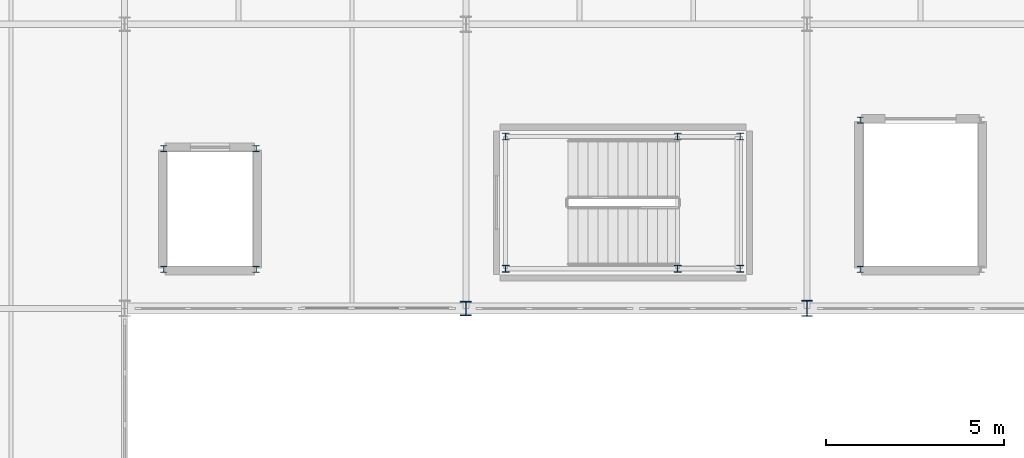
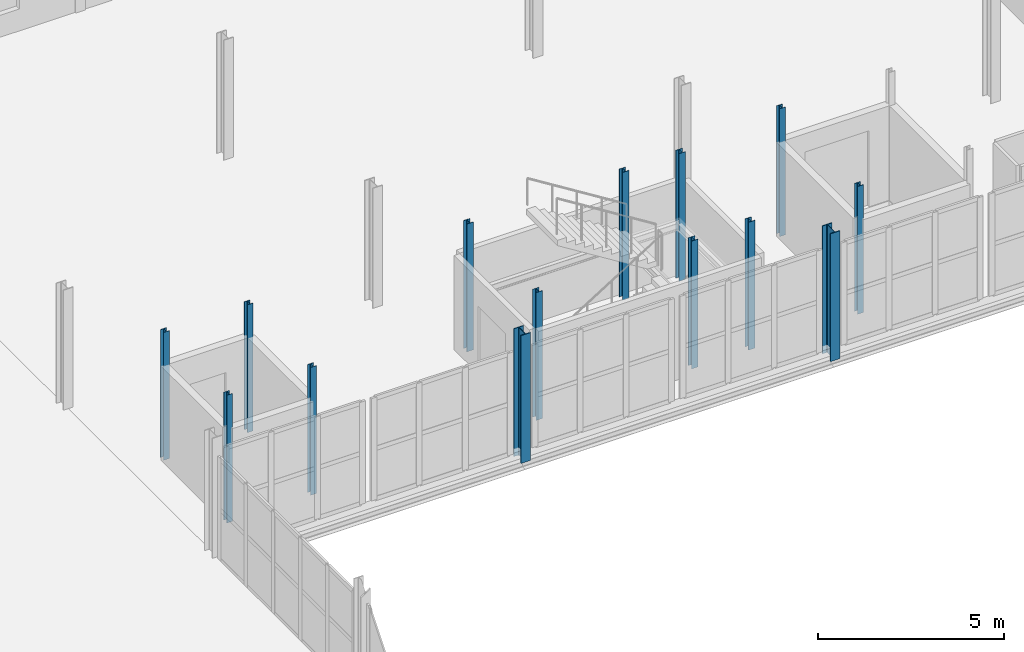
# One storey, part 18 of 85: 14 columns.
"""IFC4 building model written with IfcOpenShell, lengths in metres."""

from ifc_helpers import new_model, si_unit, direction, frame, origin, origin_2d, place, context, subcontext, project, spatial, i_section, extrude, material, material_profile, profile_set, type_object, element, save


model = new_model("IFC4")

# Units and contexts
model_context = context("Model", 3, precision=1e-05, world=origin(), true_north=direction((0.0, 1.0)))
body_context = subcontext(model_context, "Body", "Model", "MODEL_VIEW")
ifc_project = project(units=[si_unit("LENGTHUNIT", "METRE"), si_unit("AREAUNIT", "SQUARE_METRE"), si_unit("VOLUMEUNIT", "CUBIC_METRE"), si_unit("PLANEANGLEUNIT", "RADIAN"), si_unit("MASSUNIT", "GRAM", prefix="KILO")], contexts=[model_context])

# Site, building, storey
site_placement = place(None, origin())
site = spatial("IfcSite", under=ifc_project, at=site_placement, CompositionType="ELEMENT")
building_placement = place(site_placement, origin())
building = spatial("IfcBuilding", under=site, at=building_placement, Name="Alderhovde Museum", CompositionType="ELEMENT")
storey_placement = place(building_placement, frame((0.0, 0.0, 8.699951171875)))
storey = spatial("IfcBuildingStorey", under=building, at=storey_placement, Name="L02", CompositionType="ELEMENT", Elevation=8.699951171875)

# Columns
ifc_material_1 = material(Name="Steel S355J2", Category="steel")
ifc_material_profile_1 = material_profile(ifc_material_1, i_section(OverallWidth=0.179931640625, OverallDepth=0.1708984375, WebThickness=0.006103515625, FlangeThickness=0.009521484375, FilletRadius=0.014892578125, at=origin_2d()), Name="HEA 180")
ifc_profile_set_1 = profile_set([ifc_material_profile_1], Name="Steel S355J2")
column_type_1 = type_object("IfcColumnType", Name="COL-HEA180", PredefinedType="COLUMN", material=ifc_profile_set_1)
for number, where, z_axis, x_axis, name in (
    (1, (116.300048828125, 73.10009765625, 0.0), (0.0, 0.0, 1.0), (1.0, 0.0, 0.0), "L02 Lift PL-03 Shaft Column 1"),
    (2, (118.89990234375, 73.10009765625, 0.0), (0.0, 0.0, 1.0), (1.0, 0.0, 0.0), "L02 Lift PL-03 Shaft Column 2"),
    (3, (118.89990234375, 76.5, 0.0), (0.0, 0.0, 1.0), (1.0, 0.0, 0.0), "L02 Lift PL-03 Shaft Column 3"),
    (4, (116.300048828125, 76.5, 0.0), (0.0, 0.0, 1.0), (1.0, 0.0, 0.0), "L02 Lift PL-03 Shaft Column 4"),
    (5, (135.89990234375, 73.10009765625, 0.0), (0.0, 0.0, 1.0), (1.0, 0.0, 0.0), "L02 Lift GL-01 Shaft Column 1"),
    (6, (135.89990234375, 77.300048828125, 0.0), (0.0, 0.0, 1.0), (1.0, 0.0, 0.0), "L02 Lift GL-01 Shaft Column 4"),
):
    element("IfcColumn", number, at=place(storey_placement, frame(where, z_axis=z_axis, x_axis=x_axis)), inside=storey, type_object=column_type_1, Name=name, PredefinedType="COLUMN", context=body_context, shape_type="SweptSolid", body=[
        extrude(i_section(OverallWidth=0.179931640625, OverallDepth=0.1708984375, WebThickness=0.006103515625, FlangeThickness=0.009521484375, FilletRadius=0.014892578125, at=origin_2d()), origin(), (0.0, 0.0, 1.0), 4.199951171875),
    ])
ifc_material_2 = material(Name="Steel S355J2", Category="steel")
ifc_material_profile_2 = material_profile(ifc_material_2, i_section(OverallWidth=0.199951171875, OverallDepth=0.18994140625, WebThickness=0.006591796875, FlangeThickness=0.010009765625, FilletRadius=0.01806640625, at=origin_2d()), Name="HEA 200")
ifc_profile_set_2 = profile_set([ifc_material_profile_2], Name="Steel S355J2")
column_type_2 = type_object("IfcColumnType", Name="COL-HEA200", PredefinedType="COLUMN", material=ifc_profile_set_2)
for number, where, z_axis, x_axis, name in (
    (7, (125.919921875, 73.1201171875, 0.0), (0.0, 0.0, 1.0), (1.0, 0.0, 0.0), "L02 Stair ST4 Shaft Column 1"),
    (8, (132.52001953125, 73.1201171875, 0.0), (0.0, 0.0, 1.0), (1.0, 0.0, 0.0), "L02 Stair ST4 Shaft Column 2"),
    (9, (132.52001953125, 76.840087890625, 0.0), (0.0, 0.0, 1.0), (1.0, 0.0, 0.0), "L02 Stair ST4 Shaft Column 3"),
    (10, (125.919921875, 76.840087890625, 0.0), (0.0, 0.0, 1.0), (1.0, 0.0, 0.0), "L02 Stair ST4 Shaft Column 4"),
    (11, (130.760009765625, 73.1201171875, 0.0), (0.0, 0.0, 1.0), (1.0, 0.0, 0.0), "L02 Stair ST4 Shaft Column 5"),
    (12, (130.760009765625, 76.840087890625, 0.0), (0.0, 0.0, 1.0), (1.0, 0.0, 0.0), "L02 Stair ST4 Shaft Column 6"),
):
    element("IfcColumn", number, at=place(storey_placement, frame(where, z_axis=z_axis, x_axis=x_axis)), inside=storey, type_object=column_type_2, Name=name, PredefinedType="COLUMN", context=body_context, shape_type="SweptSolid", body=[
        extrude(i_section(OverallWidth=0.199951171875, OverallDepth=0.18994140625, WebThickness=0.006591796875, FlangeThickness=0.010009765625, FilletRadius=0.01806640625, at=origin_2d()), origin(), (0.0, 0.0, 1.0), 4.199951171875),
    ])
ifc_material_3 = material(Name="Steel S355J2", Category="steel")
ifc_material_profile_3 = material_profile(ifc_material_3, i_section(OverallWidth=0.300048828125, OverallDepth=0.39990234375, WebThickness=0.013427734375, FlangeThickness=0.02392578125, FilletRadius=0.027099609375, at=origin_2d()), Name="HEB 400")
ifc_profile_set_3 = profile_set([ifc_material_profile_3], Name="Steel S355J2")
column_type_3 = type_object("IfcColumnType", Name="COL-HEB400", PredefinedType="COLUMN", material=ifc_profile_set_3)
column_1_placement = place(storey_placement, frame((124.800048828125, 72.0, -0.260009765625), z_axis=(0.0, 0.0, 1.0), x_axis=(1.0, 0.0, 0.0)))
element("IfcColumn", 13, at=column_1_placement, inside=storey, type_object=column_type_3, Name="L02 Column (124.8, 72.0)", PredefinedType="COLUMN", context=body_context, shape_type="SweptSolid", body=[
    extrude(i_section(OverallWidth=0.300048828125, OverallDepth=0.39990234375, WebThickness=0.013427734375, FlangeThickness=0.02392578125, FilletRadius=0.027099609375, at=origin_2d()), origin(), (0.0, 0.0, 1.0), 4.199951171875),
])
ifc_material_4 = material(Name="Steel S355J2", Category="steel")
ifc_material_profile_4 = material_profile(ifc_material_4, i_section(OverallWidth=0.300048828125, OverallDepth=0.449951171875, WebThickness=0.013916015625, FlangeThickness=0.02587890625, FilletRadius=0.027099609375, at=origin_2d()), Name="HEB 450")
ifc_profile_set_4 = profile_set([ifc_material_profile_4], Name="Steel S355J2")
column_type_4 = type_object("IfcColumnType", Name="COL-HEB450", PredefinedType="COLUMN", material=ifc_profile_set_4)
column_2_placement = place(storey_placement, frame((134.39990234375, 72.0, -0.260009765625), z_axis=(0.0, 0.0, 1.0), x_axis=(1.0, 0.0, 0.0)))
element("IfcColumn", 14, at=column_2_placement, inside=storey, type_object=column_type_4, Name="L02 Column (134.4, 72.0)", PredefinedType="COLUMN", context=body_context, shape_type="SweptSolid", body=[
    extrude(i_section(OverallWidth=0.300048828125, OverallDepth=0.449951171875, WebThickness=0.013916015625, FlangeThickness=0.02587890625, FilletRadius=0.027099609375, at=origin_2d()), origin(), (0.0, 0.0, 1.0), 4.199951171875),
])

save(model, "model.ifc")
